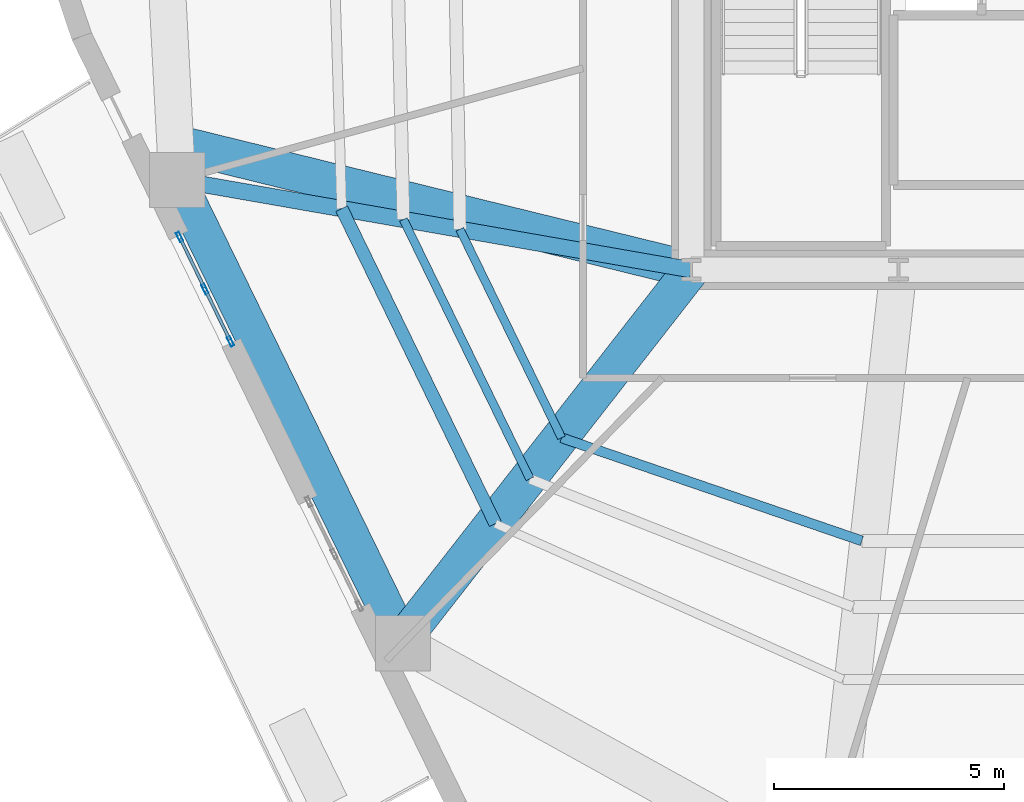
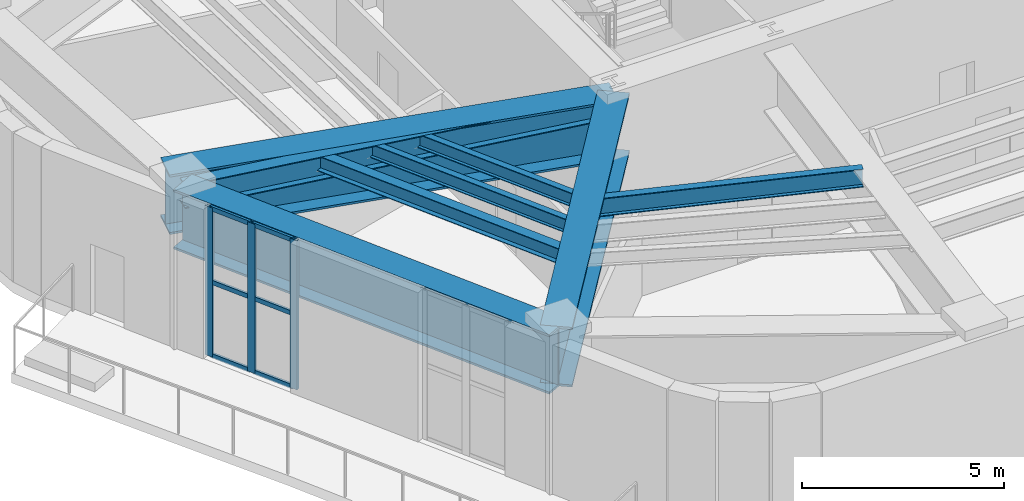
# One storey, part 3 of 22: 9 members, 8 beams, 1 element without a shape of its own.
"""IFC4 building model written with IfcOpenShell, lengths in metres."""

from ifc_helpers import new_model, si_unit, direction, frame, origin, origin_2d, place, context, subcontext, project, spatial, hollow_rectangle, i_section, extrude, material, layer, layer_set, material_profile, profile_set, type_object, element, aggregate, save


model = new_model("IFC4")

# Units and contexts
model_context = context("Model", 3, precision=1e-05, world=origin(), true_north=direction((0.0, 1.0)))
body_context = subcontext(model_context, "Body", "Model", "MODEL_VIEW")
ifc_project = project(units=[si_unit("LENGTHUNIT", "METRE"), si_unit("AREAUNIT", "SQUARE_METRE"), si_unit("VOLUMEUNIT", "CUBIC_METRE"), si_unit("PLANEANGLEUNIT", "RADIAN"), si_unit("MASSUNIT", "GRAM", prefix="KILO")], contexts=[model_context])

# Site, building, storey
site_placement = place(None, origin())
site = spatial("IfcSite", under=ifc_project, at=site_placement, CompositionType="ELEMENT")
building_placement = place(site_placement, origin())
building = spatial("IfcBuilding", under=site, at=building_placement, Name="Kilnhurst Terrace Hotel", CompositionType="ELEMENT")
storey_placement = place(building_placement, frame((0.0, 0.0, 139.5)))
storey = spatial("IfcBuildingStorey", under=building, at=storey_placement, Name="L34", CompositionType="ELEMENT", Elevation=139.5)

# Beams
ifc_material_1 = material(Name="Steel ASTM A992 Grade 50", Category="steel")
ifc_material_profile_1 = material_profile(ifc_material_1, i_section(OverallWidth=0.354736328125, OverallDepth=0.695556640625, WebThickness=0.015380859375, FlangeThickness=0.025146484375, at=origin_2d()), Name="W27X146")
ifc_profile_set_1 = profile_set([ifc_material_profile_1], Name="Steel ASTM A992 Grade 50")
beam_type_1 = type_object("IfcBeamType", Name="BM-STL-W27X146", PredefinedType="BEAM", material=ifc_profile_set_1)
beam_1_placement = place(storey_placement, frame((-9.0, -7.5, 4.152099609375), z_axis=(-0.985072137567, 0.172142045384, 0.0), x_axis=(-0.172142045384, -0.985072137567, 0.0)))
element("IfcBeam", 1, at=beam_1_placement, inside=storey, type_object=beam_type_1, Name="L34 Radial Floor Beam 11", PredefinedType="BEAM", context=body_context, shape_type="SweptSolid", body=[
    extrude(i_section(OverallWidth=0.354736328125, OverallDepth=0.695556640625, WebThickness=0.015380859375, FlangeThickness=0.025146484375, at=origin_2d()), origin(), (0.0, 0.0, 1.0), 11.333251953125),
])
ifc_material_profile_2 = material_profile(ifc_material_1, i_section(OverallWidth=0.180908203125, OverallDepth=0.417236328125, WebThickness=0.010986328125, FlangeThickness=0.018310546875, at=origin_2d()), Name="W16X57")
ifc_profile_set_2 = profile_set([ifc_material_profile_2], Name="Steel ASTM A992 Grade 50")
beam_type_2 = type_object("IfcBeamType", Name="JST-STL-W16X57", PredefinedType="JOIST", material=ifc_profile_set_2)
beam_2_placement = place(storey_placement, frame((-14.023681640625, -6.6220703125, 4.291015625), z_axis=(0.438389251087, -0.898785216017, 0.0), x_axis=(0.898785216017, 0.438389251087, 0.0)))
element("IfcBeam", 2, at=beam_2_placement, inside=storey, type_object=beam_type_2, Name="L34 Secondary Floor Steel Joist IN.11", PredefinedType="JOIST", context=body_context, shape_type="SweptSolid", body=[
    extrude(i_section(OverallWidth=0.180908203125, OverallDepth=0.417236328125, WebThickness=0.010986328125, FlangeThickness=0.018310546875, at=origin_2d()), origin(), (0.0, 0.0, 1.0), 5.03662109375),
])
beam_3_placement = place(storey_placement, frame((-15.251708984375, -6.407470703125, 4.291015625), z_axis=(0.438389098362, -0.89878529051, 0.0), x_axis=(0.89878529051, 0.438389098362, 0.0)))
element("IfcBeam", 3, at=beam_3_placement, inside=storey, type_object=beam_type_2, Name="L34 Secondary Floor Steel Joist MID.11", PredefinedType="JOIST", context=body_context, shape_type="SweptSolid", body=[
    extrude(i_section(OverallWidth=0.180908203125, OverallDepth=0.417236328125, WebThickness=0.010986328125, FlangeThickness=0.018310546875, at=origin_2d()), origin(), (0.0, 0.0, 1.0), 6.26806640625),
])
ifc_material_profile_3 = material_profile(ifc_material_1, i_section(OverallWidth=0.279296875, OverallDepth=0.462890625, WebThickness=0.0107421875, FlangeThickness=0.017333984375, at=origin_2d()), Name="W18X76")
ifc_profile_set_3 = profile_set([ifc_material_profile_3], Name="Steel ASTM A992 Grade 50")
beam_type_3 = type_object("IfcBeamType", Name="JST-STL-W18X76", PredefinedType="JOIST", material=ifc_profile_set_3)
beam_4_placement = place(storey_placement, frame((-16.591552734375, -6.17333984375, 4.26806640625), z_axis=(0.438390137084, -0.898784783865, 0.0), x_axis=(0.898784783865, 0.438390137084, 0.0)))
element("IfcBeam", 4, at=beam_4_placement, inside=storey, type_object=beam_type_3, Name="L34 Secondary Floor Steel Joist OUT.11", PredefinedType="JOIST", context=body_context, shape_type="SweptSolid", body=[
    extrude(i_section(OverallWidth=0.279296875, OverallDepth=0.462890625, WebThickness=0.0107421875, FlangeThickness=0.017333984375, at=origin_2d()), origin(), (0.0, 0.0, 1.0), 7.611083984375),
])
ifc_material_profile_4 = material_profile(ifc_material_1, i_section(OverallWidth=0.2138671875, OverallDepth=0.549072265625, WebThickness=0.0146484375, FlangeThickness=0.023681640625, at=origin_2d()), Name="W21X93")
ifc_profile_set_4 = profile_set([ifc_material_profile_4], Name="Steel ASTM A992 Grade 50")
beam_type_4 = type_object("IfcBeamType", Name="JST-STL-W21X93", PredefinedType="JOIST", material=ifc_profile_set_4)
beam_5_placement = place(storey_placement, frame((-11.815673828125, -11.14892578125, 4.22509765625), z_axis=(0.945873585837, -0.324535297949, 0.0), x_axis=(0.324535297949, 0.945873585837, 0.0)))
element("IfcBeam", 5, at=beam_5_placement, inside=storey, type_object=beam_type_4, Name="L34 Secondary Floor Steel Joist IN.12", PredefinedType="JOIST", context=body_context, shape_type="SweptSolid", body=[
    extrude(i_section(OverallWidth=0.2138671875, OverallDepth=0.549072265625, WebThickness=0.0146484375, FlangeThickness=0.023681640625, at=origin_2d()), origin(), (0.0, 0.0, 1.0), 6.89306640625),
])

# Curtain wall, members
ifc_material_2 = material(Name="Anodized Aluminium Alloy 6063-T6 and Low-E Glass", Category="aluminium")
ifc_layer = layer(ifc_material_2, 0.219970703125, Name="Anodized Aluminium Alloy 6063-T6 and Low-E Glass")
ifc_layer_set = layer_set([ifc_layer], Name="Anodized Aluminium Alloy 6063-T6 and Low-E Glass")
curtain_wall_type = type_object("IfcCurtainWallType", Name="CW-SKY-L34", PredefinedType="NOTDEFINED", material=ifc_layer_set)
curtain_wall_placement = place(storey_placement, origin())
curtain_wall = element("IfcCurtainWall", 6, at=curtain_wall_placement, inside=storey, type_object=curtain_wall_type, Name="L34 Curtain Wall CW-L34-F6-1", PredefinedType="NOTDEFINED")
ifc_material_3 = material(Name="Extruded Aluminium Alloy 6063-T6", Category="aluminium")
ifc_material_profile_5 = material_profile(ifc_material_3, hollow_rectangle(XDim=0.074951171875, YDim=0.219970703125, WallThickness=0.00390625, at=origin_2d()), Name="CWM75X220")
ifc_profile_set_5 = profile_set([ifc_material_profile_5], Name="Extruded Aluminium Alloy 6063-T6")
member_type_1 = type_object("IfcMemberType", Name="MEM-CWM75X220", PredefinedType="MULLION", material=ifc_profile_set_5)
member_1_placement = place(storey_placement, frame((-20.10986328125, -6.788818359375, 0.0), z_axis=(0.0, 0.0, 1.0), x_axis=(0.898775479666, 0.438409211982, 0.0)))
member_1 = element("IfcMember", 7, at=member_1_placement, type_object=member_type_1, Name="CWS-3 mullion 1", PredefinedType="MULLION", context=body_context, shape_type="SweptSolid", body=[
    extrude(hollow_rectangle(XDim=0.074951171875, YDim=0.219970703125, WallThickness=0.00390625, at=origin_2d()), origin(), (0.0, 0.0, 1.0), 4.5),
])
member_2_placement = place(storey_placement, frame((-19.557373046875, -7.921630859375, 0.0), z_axis=(0.0, 0.0, 1.0), x_axis=(0.898775479666, 0.438409211982, 0.0)))
member_2 = element("IfcMember", 8, at=member_2_placement, type_object=member_type_1, Name="CWS-3 mullion 2", PredefinedType="MULLION", context=body_context, shape_type="SweptSolid", body=[
    extrude(hollow_rectangle(XDim=0.074951171875, YDim=0.219970703125, WallThickness=0.00390625, at=origin_2d()), origin(), (0.0, 0.0, 1.0), 4.5),
])
member_3_placement = place(storey_placement, frame((-19.004638671875, -9.054443359375, 0.0), z_axis=(0.0, 0.0, 1.0), x_axis=(0.898775479666, 0.438409211982, 0.0)))
member_3 = element("IfcMember", 9, at=member_3_placement, type_object=member_type_1, Name="CWS-3 mullion 3", PredefinedType="MULLION", context=body_context, shape_type="SweptSolid", body=[
    extrude(hollow_rectangle(XDim=0.074951171875, YDim=0.219970703125, WallThickness=0.00390625, at=origin_2d()), origin(), (0.0, 0.0, 1.0), 4.5),
])
ifc_material_profile_6 = material_profile(ifc_material_3, hollow_rectangle(XDim=0.070068359375, YDim=0.135009765625, WallThickness=0.00390625, at=origin_2d()), Name="CWT70X135")
ifc_profile_set_6 = profile_set([ifc_material_profile_6], Name="Extruded Aluminium Alloy 6063-T6")
member_type_2 = type_object("IfcMemberType", Name="MEM-CWT70X135", PredefinedType="USERDEFINED", material=ifc_profile_set_6)
member_4_placement = place(storey_placement, frame((-20.093505859375, -6.822509765625, 0.034912109375), z_axis=(0.438460149808, -0.898750631171, 0.0), x_axis=(0.898750631171, 0.438460149808, 0.0)))
member_4 = element("IfcMember", 10, at=member_4_placement, type_object=member_type_2, Name="CWS-3 transom 1.1", ObjectType="TRANSOM", PredefinedType="USERDEFINED", context=body_context, shape_type="SweptSolid", body=[
    extrude(hollow_rectangle(XDim=0.070068359375, YDim=0.135009765625, WallThickness=0.00390625, at=origin_2d()), origin(), (0.0, 0.0, 1.0), 1.185546875),
])
member_5_placement = place(storey_placement, frame((-20.093505859375, -6.822509765625, 2.25), z_axis=(0.438460149808, -0.898750631171, 0.0), x_axis=(0.898750631171, 0.438460149808, 0.0)))
member_5 = element("IfcMember", 11, at=member_5_placement, type_object=member_type_2, Name="CWS-3 transom 1.2", ObjectType="TRANSOM", PredefinedType="USERDEFINED", context=body_context, shape_type="SweptSolid", body=[
    extrude(hollow_rectangle(XDim=0.070068359375, YDim=0.135009765625, WallThickness=0.00390625, at=origin_2d()), origin(), (0.0, 0.0, 1.0), 1.185546875),
])
member_6_placement = place(storey_placement, frame((-20.093505859375, -6.822509765625, 4.465087890625), z_axis=(0.438460149808, -0.898750631171, 0.0), x_axis=(0.898750631171, 0.438460149808, 0.0)))
member_6 = element("IfcMember", 12, at=member_6_placement, type_object=member_type_2, Name="CWS-3 transom 1.3", ObjectType="TRANSOM", PredefinedType="USERDEFINED", context=body_context, shape_type="SweptSolid", body=[
    extrude(hollow_rectangle(XDim=0.070068359375, YDim=0.135009765625, WallThickness=0.00390625, at=origin_2d()), origin(), (0.0, 0.0, 1.0), 1.185546875),
])
member_7_placement = place(storey_placement, frame((-19.541015625, -7.955322265625, 0.034912109375), z_axis=(0.438460149808, -0.898750631171, 0.0), x_axis=(0.898750631171, 0.438460149808, 0.0)))
member_7 = element("IfcMember", 13, at=member_7_placement, type_object=member_type_2, Name="CWS-3 transom 2.1", ObjectType="TRANSOM", PredefinedType="USERDEFINED", context=body_context, shape_type="SweptSolid", body=[
    extrude(hollow_rectangle(XDim=0.070068359375, YDim=0.135009765625, WallThickness=0.00390625, at=origin_2d()), origin(), (0.0, 0.0, 1.0), 1.185546875),
])
member_8_placement = place(storey_placement, frame((-19.541015625, -7.955322265625, 2.25), z_axis=(0.438460149808, -0.898750631171, 0.0), x_axis=(0.898750631171, 0.438460149808, 0.0)))
member_8 = element("IfcMember", 14, at=member_8_placement, type_object=member_type_2, Name="CWS-3 transom 2.2", ObjectType="TRANSOM", PredefinedType="USERDEFINED", context=body_context, shape_type="SweptSolid", body=[
    extrude(hollow_rectangle(XDim=0.070068359375, YDim=0.135009765625, WallThickness=0.00390625, at=origin_2d()), origin(), (0.0, 0.0, 1.0), 1.185546875),
])
member_9_placement = place(storey_placement, frame((-19.541015625, -7.955322265625, 4.465087890625), z_axis=(0.438460149808, -0.898750631171, 0.0), x_axis=(0.898750631171, 0.438460149808, 0.0)))
member_9 = element("IfcMember", 15, at=member_9_placement, type_object=member_type_2, Name="CWS-3 transom 2.3", ObjectType="TRANSOM", PredefinedType="USERDEFINED", context=body_context, shape_type="SweptSolid", body=[
    extrude(hollow_rectangle(XDim=0.070068359375, YDim=0.135009765625, WallThickness=0.00390625, at=origin_2d()), origin(), (0.0, 0.0, 1.0), 1.185546875),
])
aggregate(curtain_wall, [member_1, member_2, member_3, member_4, member_5, member_6, member_7, member_8, member_9])

# Beams
ifc_material_4 = material(Name="Steel ASTM A572 Grade 50", Category="steel")
ifc_material_profile_7 = material_profile(ifc_material_4, i_section(OverallWidth=0.800048828125, OverallDepth=1.800048828125, WebThickness=0.0400390625, FlangeThickness=0.06494140625, at=origin_2d()), Name="PG1800X800")
ifc_profile_set_7 = profile_set([ifc_material_profile_7], Name="Steel ASTM A572 Grade 50")
beam_type_5 = type_object("IfcBeamType", Name="TG-STEP-1800", PredefinedType="USERDEFINED", material=ifc_profile_set_7)
beam_6_placement = place(storey_placement, frame((-20.1640625, -5.549072265625, 3.60009765625), z_axis=(0.438406012271, -0.89877704043, 0.0), x_axis=(0.89877704043, 0.438406012271, 0.0)))
element("IfcBeam", 16, at=beam_6_placement, inside=storey, type_object=beam_type_5, Name="L34 Zone Step Perimeter Transfer Girder 11", ObjectType="GIRDER", PredefinedType="USERDEFINED", context=body_context, shape_type="SweptSolid", body=[
    extrude(i_section(OverallWidth=0.800048828125, OverallDepth=1.800048828125, WebThickness=0.0400390625, FlangeThickness=0.06494140625, at=origin_2d()), origin(), (0.0, 0.0, 1.0), 11.19287109375),
])
beam_7_placement = place(storey_placement, frame((-9.0, -7.5, 3.60009765625), z_axis=(-0.971212044892, 0.238216632201, 0.0), x_axis=(-0.238216632201, -0.971212044892, 0.0)))
element("IfcBeam", 17, at=beam_7_placement, inside=storey, type_object=beam_type_5, Name="L34 Zone Step Radial Transfer Girder 11", ObjectType="GIRDER", PredefinedType="USERDEFINED", context=body_context, shape_type="SweptSolid", body=[
    extrude(i_section(OverallWidth=0.800048828125, OverallDepth=1.800048828125, WebThickness=0.0400390625, FlangeThickness=0.06494140625, at=origin_2d()), origin(), (0.0, 0.0, 1.0), 11.5380859375),
])
beam_8_placement = place(storey_placement, frame((-9.0, -7.5, 3.60009765625), z_axis=(-0.615372655061, -0.788236319516, 0.0), x_axis=(0.788236319516, -0.615372655061, 0.0)))
element("IfcBeam", 18, at=beam_8_placement, inside=storey, type_object=beam_type_5, Name="L34 Zone Step Radial Transfer Girder 12", ObjectType="GIRDER", PredefinedType="USERDEFINED", context=body_context, shape_type="SweptSolid", body=[
    extrude(i_section(OverallWidth=0.800048828125, OverallDepth=1.800048828125, WebThickness=0.0400390625, FlangeThickness=0.06494140625, at=origin_2d()), origin(), (0.0, 0.0, 1.0), 10.2138671875),
])

save(model, "model.ifc")
